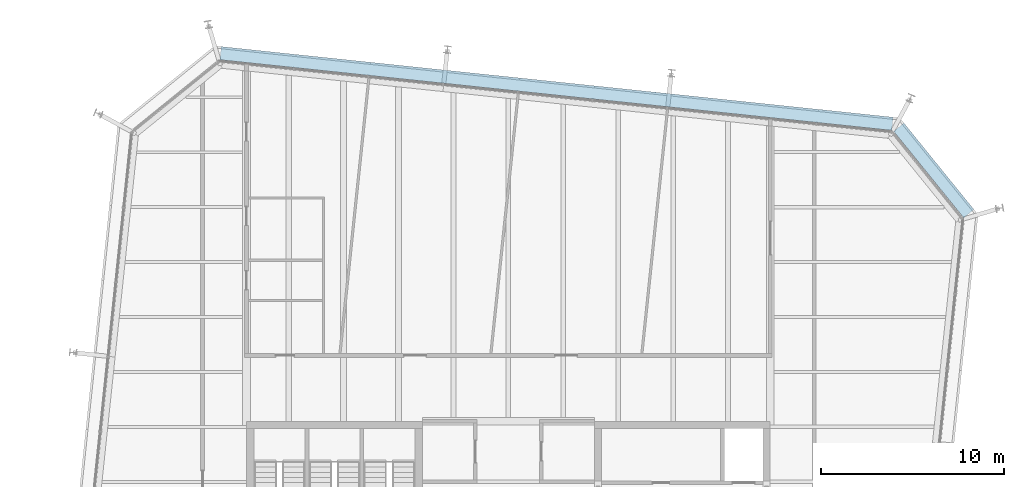
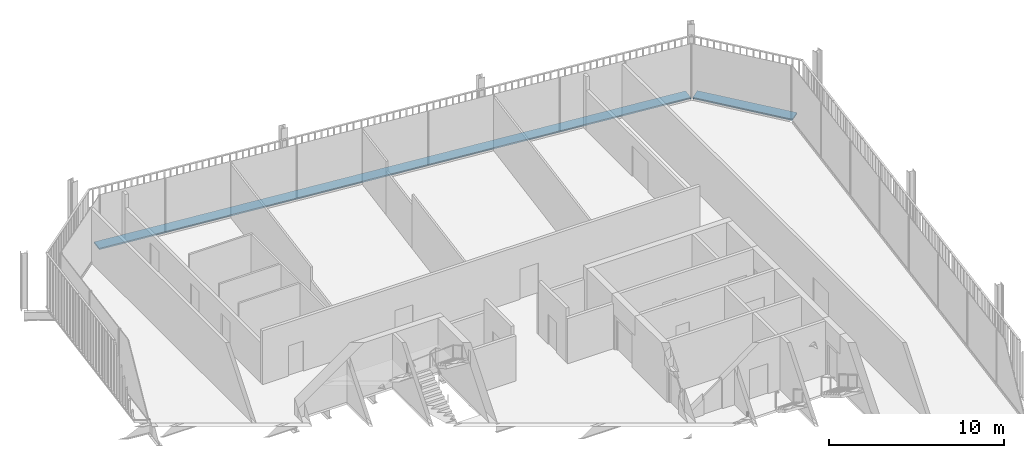
# One storey, part 19 of 20: 2 discrete accessories.
"""IFC4 building model written with IfcOpenShell, lengths in metres."""

from ifc_helpers import new_model, si_unit, direction, frame, origin, origin_2d, place, context, subcontext, project, spatial, rectangle, extrude, material, type_object, element, save


model = new_model("IFC4")

# Units and contexts
model_context = context("Model", 3, precision=1e-05, world=origin(), true_north=direction((0.0, 1.0)))
body_context = subcontext(model_context, "Body", "Model", "MODEL_VIEW")
ifc_project = project(units=[si_unit("LENGTHUNIT", "METRE"), si_unit("AREAUNIT", "SQUARE_METRE"), si_unit("VOLUMEUNIT", "CUBIC_METRE"), si_unit("PLANEANGLEUNIT", "RADIAN"), si_unit("MASSUNIT", "GRAM", prefix="KILO")], contexts=[model_context])

# Site, building, storey
site_placement = place(None, origin())
site = spatial("IfcSite", under=ifc_project, at=site_placement, CompositionType="ELEMENT")
building_placement = place(site_placement, origin())
building = spatial("IfcBuilding", under=site, at=building_placement, Name="Millrace Tower", CompositionType="ELEMENT")
storey_placement = place(building_placement, frame((0.0, 0.0, 330.39990234375)))
storey = spatial("IfcBuildingStorey", under=building, at=storey_placement, Name="L76", CompositionType="ELEMENT", Elevation=330.39990234375)

# Discrete accessories
ifc_material = material(Name="Stainless steel ASTM A240 type 316", Category="steel")
discrete_accessory_type = type_object("IfcDiscreteAccessoryType", Name="Thermally broken screen support rail", PredefinedType="BRACKET", material=ifc_material)
discrete_accessory_1_placement = place(storey_placement, frame((23.23681640625, 23.0048828125, 0.0), z_axis=(0.0, 0.0, 1.0), x_axis=(-0.629320278945, 0.777146052237, 0.0)))
element("IfcDiscreteAccessory", 1, at=discrete_accessory_1_placement, inside=storey, type_object=discrete_accessory_type, Name="Thermally broken screen support rail E-F05 L76 1", PredefinedType="BRACKET", context=body_context, shape_type="SweptSolid", body=[
    extrude(rectangle(XDim=6.0810546875, YDim=0.719970703125, at=origin_2d()), origin(), (0.0, 0.0, 1.0), 0.10009765625),
])
discrete_accessory_2_placement = place(storey_placement, frame((2.63134765625, 27.482666015625, 0.0), z_axis=(0.0, 0.0, 1.0), x_axis=(-0.994521896217, 0.104528455196, 0.0)))
element("IfcDiscreteAccessory", 2, at=discrete_accessory_2_placement, inside=storey, type_object=discrete_accessory_type, Name="Thermally broken screen support rail E-F06 L76 1", PredefinedType="BRACKET", context=body_context, shape_type="SweptSolid", body=[
    extrude(rectangle(XDim=36.89990234375, YDim=0.719970703125, at=origin_2d()), origin(), (0.0, 0.0, 1.0), 0.10009765625),
])

save(model, "model.ifc")
